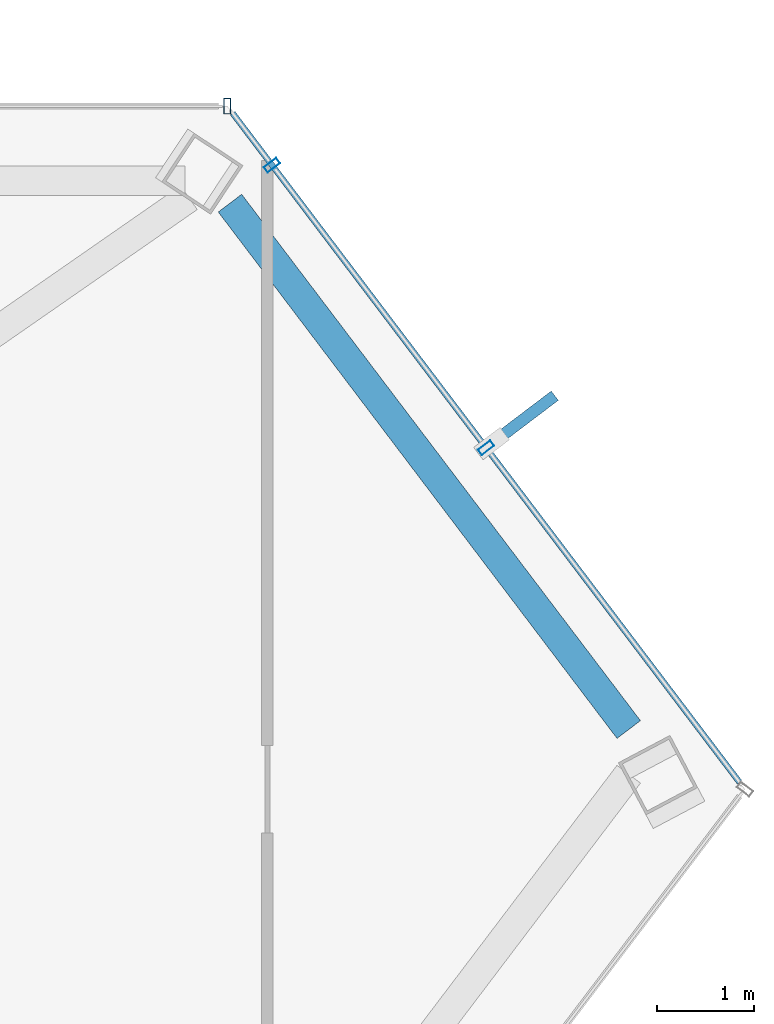
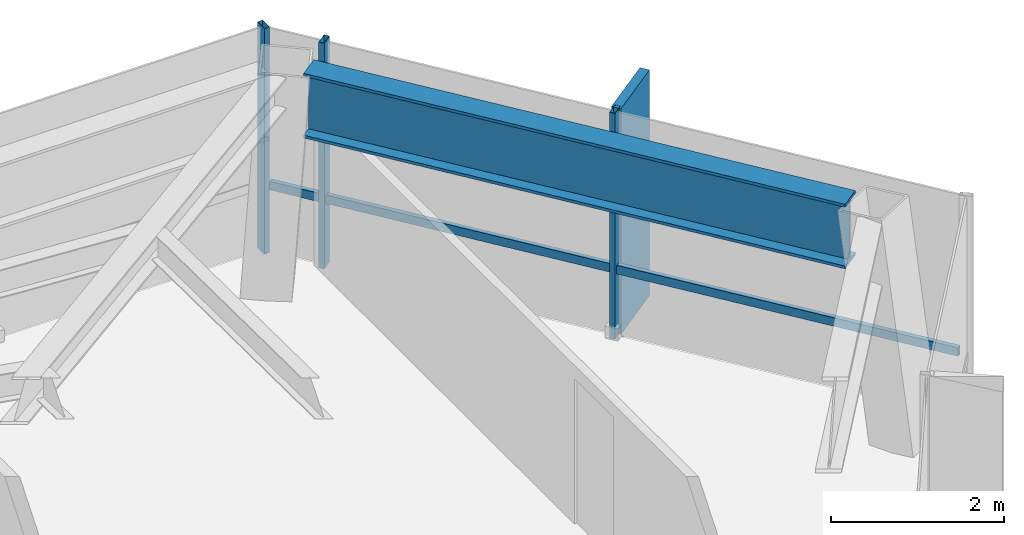
# One storey, part 22 of 27: 5 members, 1 beam, 2 elements without a shape of their own.
"""IFC4 building model written with IfcOpenShell, lengths in metres."""

from ifc_helpers import new_model, si_unit, direction, frame, origin, origin_2d, place, context, subcontext, project, spatial, rectangle, hollow_rectangle, i_section, extrude, material, layer, layer_set, material_profile, profile_set, type_object, element, aggregate, save


model = new_model("IFC4")

# Units and contexts
model_context = context("Model", 3, precision=1e-05, world=origin(), true_north=direction((0.0, 1.0)))
body_context = subcontext(model_context, "Body", "Model", "MODEL_VIEW")
ifc_project = project(units=[si_unit("LENGTHUNIT", "METRE"), si_unit("AREAUNIT", "SQUARE_METRE"), si_unit("VOLUMEUNIT", "CUBIC_METRE"), si_unit("PLANEANGLEUNIT", "RADIAN"), si_unit("MASSUNIT", "GRAM", prefix="KILO")], contexts=[model_context])

# Site, building, storey
site_placement = place(None, origin())
site = spatial("IfcSite", under=ifc_project, at=site_placement, CompositionType="ELEMENT")
building_placement = place(site_placement, origin())
building = spatial("IfcBuilding", under=site, at=building_placement, Name="Zarrinselat Tower", CompositionType="ELEMENT")
storey_placement = place(building_placement, frame((0.0, 0.0, 225.760009765625)))
storey = spatial("IfcBuildingStorey", under=building, at=storey_placement, Name="L56", CompositionType="ELEMENT", Elevation=225.760009765625)

# Beam
ifc_material_1 = material(Name="Steel S460M", Category="steel")
ifc_material_profile_1 = material_profile(ifc_material_1, i_section(OverallWidth=0.302001953125, OverallDepth=0.909912109375, WebThickness=0.02099609375, FlangeThickness=0.0400390625, at=origin_2d()), Name="HEM 900")
ifc_profile_set_1 = profile_set([ifc_material_profile_1], Name="Steel S460M")
beam_type = type_object("IfcBeamType", Name="BM-HEM900", PredefinedType="BEAM", material=ifc_profile_set_1)
beam_placement = place(storey_placement, frame((56.76611328125, 47.298095703125, 2.72509765625), z_axis=(0.60386808103, -0.797084274537, 0.0), x_axis=(0.797084274537, 0.60386808103, 0.0)))
element("IfcBeam", 1, at=beam_placement, inside=storey, type_object=beam_type, Name="L56 Perimeter Spandrel Girder SP15", PredefinedType="BEAM", context=body_context, shape_type="SweptSolid", body=[
    extrude(i_section(OverallWidth=0.302001953125, OverallDepth=0.909912109375, WebThickness=0.02099609375, FlangeThickness=0.0400390625, at=origin_2d()), origin(), (0.0, 0.0, 1.0), 6.7841796875),
])

# Curtain wall, member
ifc_material_2 = material(Name="Extruded Aluminium Alloy EN AW-6063 T6", Category="aluminium")
ifc_layer = layer(ifc_material_2, 0.169921875)
ifc_layer_set = layer_set([ifc_layer], Name="Extruded Aluminium Alloy EN AW-6063 T6")
curtain_wall_type = type_object("IfcCurtainWallType", Name="CWS-RES", PredefinedType="NOTDEFINED", material=ifc_layer_set)
curtain_wall_1_placement = place(storey_placement, origin())
curtain_wall_1 = element("IfcCurtainWall", 2, at=curtain_wall_1_placement, inside=storey, type_object=curtain_wall_type, Name="L56 Unitised Curtain Wall CW-L56-E01", PredefinedType="NOTDEFINED")
ifc_material_3 = material(Name="Extruded Aluminium Alloy EN AW-6063 T6", Category="aluminium")
ifc_material_profile_2 = material_profile(ifc_material_3, hollow_rectangle(XDim=0.070068359375, YDim=0.159912109375, WallThickness=0.00390625, at=origin_2d()), Name="RHS 160x70x4")
ifc_profile_set_2 = profile_set([ifc_material_profile_2], Name="Extruded Aluminium Alloy EN AW-6063 T6")
member_type_1 = type_object("IfcMemberType", Name="MEM-CW-MUL2", PredefinedType="MULLION", material=ifc_profile_set_2)
member_1_placement = place(storey_placement, frame((56.739501953125, 48.29443359375, 0.0), z_axis=(0.0, 0.0, 1.0), x_axis=(-1.0, 0.0, 0.0)))
member_1 = element("IfcMember", 3, at=member_1_placement, type_object=member_type_1, Name="CW-L56-E01 Mullion 0", PredefinedType="MULLION", context=body_context, shape_type="SweptSolid", body=[
    extrude(hollow_rectangle(XDim=0.070068359375, YDim=0.159912109375, WallThickness=0.00390625, at=origin_2d()), origin(), (0.0, 0.0, 1.0), 3.179931640625),
])
aggregate(curtain_wall_1, [member_1])

# Curtain wall, members
curtain_wall_2_placement = place(storey_placement, origin())
curtain_wall_2 = element("IfcCurtainWall", 4, at=curtain_wall_2_placement, inside=storey, type_object=curtain_wall_type, Name="L56 Unitised Curtain Wall CW-L56-E06", PredefinedType="NOTDEFINED")
member_2_placement = place(storey_placement, frame((59.397705078125, 44.78564453125, 0.0), z_axis=(0.0, 0.0, 1.0), x_axis=(-0.603860312232, 0.797090160089, 0.0)))
member_2 = element("IfcMember", 5, at=member_2_placement, type_object=member_type_1, Name="CW-L56-E06 Mullion 1", PredefinedType="MULLION", context=body_context, shape_type="SweptSolid", body=[
    extrude(hollow_rectangle(XDim=0.070068359375, YDim=0.159912109375, WallThickness=0.00390625, at=origin_2d()), origin(), (0.0, 0.0, 1.0), 3.179931640625),
])
member_3_placement = place(storey_placement, frame((57.1982421875, 47.688720703125, 0.0), z_axis=(0.0, 0.0, 1.0), x_axis=(-0.603860312232, 0.797090160089, 0.0)))
member_3 = element("IfcMember", 6, at=member_3_placement, type_object=member_type_1, Name="CW-L56-E06 Mullion 2", PredefinedType="MULLION", context=body_context, shape_type="SweptSolid", body=[
    extrude(hollow_rectangle(XDim=0.070068359375, YDim=0.159912109375, WallThickness=0.00390625, at=origin_2d()), origin(), (0.0, 0.0, 1.0), 3.179931640625),
])
ifc_material_4 = material(Name="Extruded Aluminium Alloy EN AW-6063 T6", Category="aluminium")
ifc_material_profile_3 = material_profile(ifc_material_4, hollow_rectangle(XDim=0.06005859375, YDim=0.1201171875, WallThickness=0.00390625, at=origin_2d()), Name="RHS 120x60x4")
ifc_profile_set_3 = profile_set([ifc_material_profile_3], Name="Extruded Aluminium Alloy EN AW-6063 T6")
member_type_2 = type_object("IfcMemberType", Name="MEM-CW-TRN2", PredefinedType="USERDEFINED", material=ifc_profile_set_3)
member_4_placement = place(storey_placement, frame((62.00146484375, 41.348388671875, 0.949951171875), z_axis=(-0.603856597922, 0.797092973966, 0.0), x_axis=(-0.797092973966, -0.603856597922, 0.0)))
member_4 = element("IfcMember", 7, at=member_4_placement, type_object=member_type_2, Name="CW-L56-E06 Transom 1", ObjectType="TRANSOM", PredefinedType="USERDEFINED", context=body_context, shape_type="SweptSolid", body=[
    extrude(hollow_rectangle(XDim=0.06005859375, YDim=0.1201171875, WallThickness=0.00390625, at=origin_2d()), origin(), (0.0, 0.0, 1.0), 8.624267578125),
])
ifc_material_5 = material(Name="Honed Cream Travertine Stone", Category="masonry")
ifc_material_profile_4 = material_profile(ifc_material_5, rectangle(XDim=0.1201171875, YDim=0.85009765625, at=origin_2d()), Name="FIN 850x120")
ifc_profile_set_4 = profile_set([ifc_material_profile_4], Name="Honed Cream Travertine Stone")
member_type_3 = type_object("IfcMemberType", Name="MEM-STONE-FIN", PredefinedType="USERDEFINED", material=ifc_profile_set_4)
member_5_placement = place(storey_placement, frame((59.764404296875, 45.0634765625, 0.0), z_axis=(0.0, 0.0, 1.0), x_axis=(0.603860312232, -0.797090160089, 0.0)))
member_5 = element("IfcMember", 8, at=member_5_placement, type_object=member_type_3, Name="L56 Stone Shading Fin CW-L56-E06-01", ObjectType="FIN", PredefinedType="USERDEFINED", context=body_context, shape_type="SweptSolid", body=[
    extrude(rectangle(XDim=0.1201171875, YDim=0.85009765625, at=origin_2d()), origin(), (0.0, 0.0, 1.0), 3.179931640625),
])
aggregate(curtain_wall_2, [member_2, member_5, member_3, member_4])

save(model, "model.ifc")
